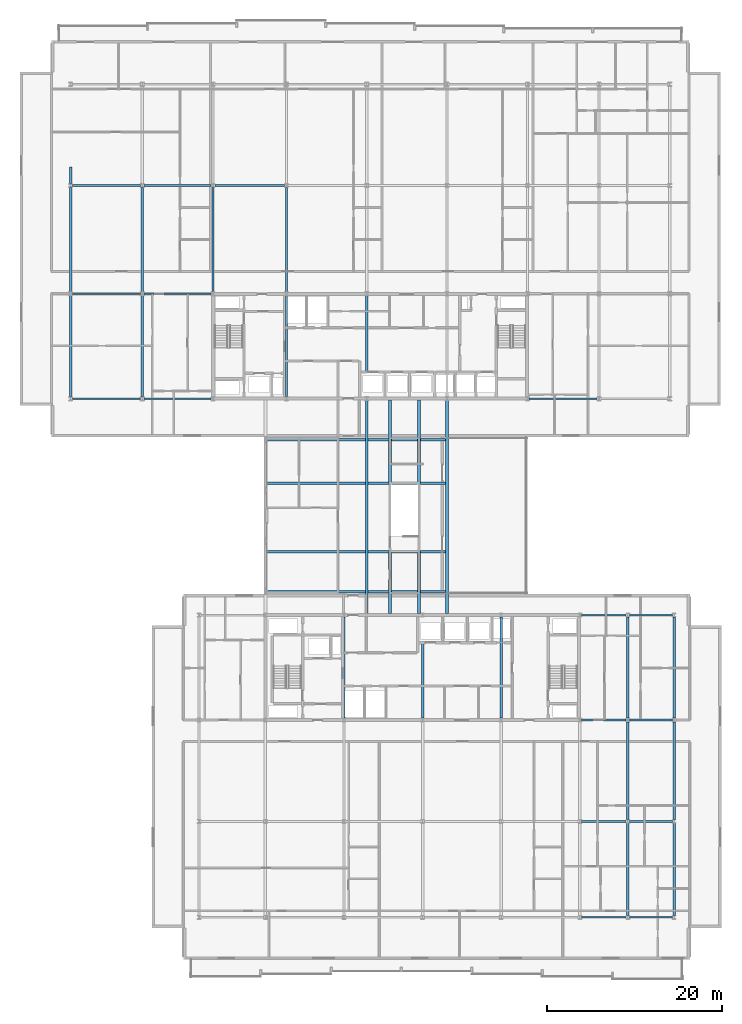
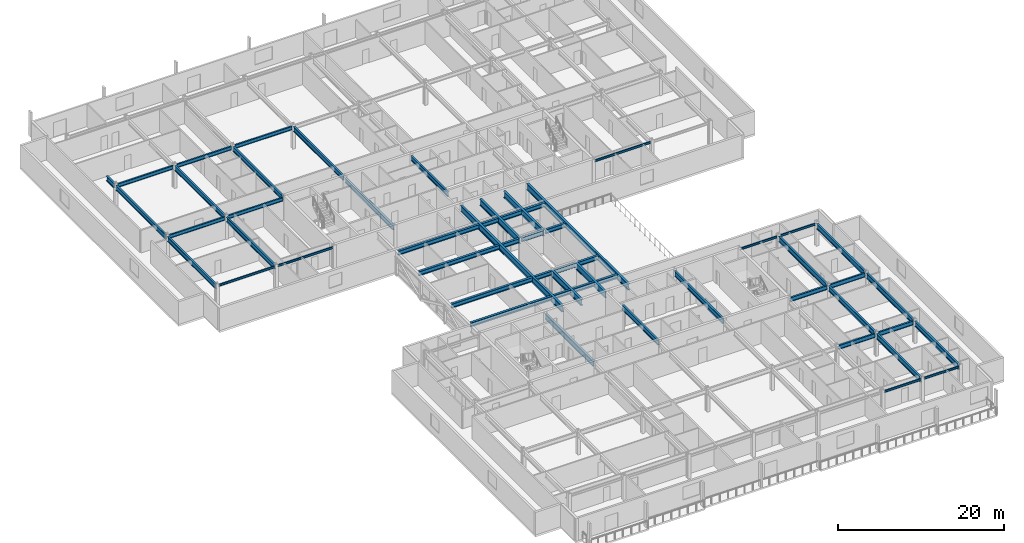
# One storey, part 7 of 28: 56 beams.
"""IFC4 building model written with IfcOpenShell, lengths in metres."""

import ifcopenshell
import ifcopenshell.guid

model = None  # the IFC model being written
_history = None  # IfcOwnerHistory: only IFC2X3 demands one
_inside = {}  # id of a spatial element -> (the spatial element, [elements in it])
_under = {}  # id of a project, library or spatial element -> (it, [spatial elements below it])
_declared = {}  # id of a project -> (the project, [libraries it declares])
_typed = {}  # id of a type object -> (the type object, [elements of that type])
_made_of = {}  # id of a material, layer set ... -> (it, [elements and type objects made of it])


def new_model(schema):
    """Start an empty IFC model of exactly this schema.

    Asked for "IFC4X3", IfcOpenShell would pick the latest addendum, in which some entities
    have other attributes; the version numbers below select the first issue.
    IFC2X3 requires an IfcOwnerHistory on every rooted entity: one is made here for all.
    """
    global model, _history
    if schema == "IFC4X3":
        model = ifcopenshell.file(schema_version=(4, 3, 0, 0))
    else:
        model = ifcopenshell.file(schema=schema)
    _inside.clear()
    _under.clear()
    _declared.clear()
    _typed.clear()
    _made_of.clear()
    _history = None
    if model.schema == "IFC2X3":
        org = make("IfcOrganization", Name="unknown")
        user = make(
            "IfcPersonAndOrganization",
            ThePerson=make("IfcPerson", FamilyName="unknown"),
            TheOrganization=org,
        )
        app = make(
            "IfcApplication",
            ApplicationDeveloper=org,
            Version="unknown",
            ApplicationFullName="unknown",
            ApplicationIdentifier="unknown",
        )
        _history = make(
            "IfcOwnerHistory",
            OwningUser=user,
            OwningApplication=app,
            ChangeAction="ADDED",
            CreationDate=0,
        )
    return model


def make(cls, **values):
    """One entity of the class cls with the attributes given. An attribute that is None is left unset."""
    return model.create_entity(
        cls, **{name: value for name, value in values.items() if value is not None}
    )


def rooted(cls, **values):
    """An entity with a GlobalId (a new one), such as an element, a storey or a relation."""
    return make(cls, GlobalId=ifcopenshell.guid.new(), OwnerHistory=_history, **values)


def si_unit(unit_type, name, prefix=None):
    """IfcSIUnit, for example si_unit("LENGTHUNIT", "METRE", prefix="MILLI")."""
    return make("IfcSIUnit", UnitType=unit_type, Prefix=prefix, Name=name)


def assignment(units):
    """IfcUnitAssignment: the units of a project."""
    return None if units is None else make("IfcUnitAssignment", Units=units)


def point(xyz):
    """IfcCartesianPoint."""
    return None if xyz is None else make("IfcCartesianPoint", Coordinates=xyz)


def direction(xyz):
    """IfcDirection."""
    return None if xyz is None else make("IfcDirection", DirectionRatios=xyz)


def frame(location, z_axis=None, x_axis=None):
    """IfcAxis2Placement3D, a coordinate frame: its origin and axes. An axis left out is left unset."""
    return make(
        "IfcAxis2Placement3D",
        Location=point(location),
        Axis=direction(z_axis),
        RefDirection=direction(x_axis),
    )


def frame_2d(location, x_axis=None):
    """IfcAxis2Placement2D, a coordinate frame in the plane: its origin and x axis."""
    return make(
        "IfcAxis2Placement2D", Location=point(location), RefDirection=direction(x_axis)
    )


def origin():
    """The frame at (0, 0, 0) with its axes left unset."""
    return frame((0.0, 0.0, 0.0))


def origin_2d():
    """The frame at (0, 0) in the plane with its x axis left unset."""
    return frame_2d((0.0, 0.0))


def place(relative_to, where):
    """IfcLocalPlacement: puts the frame where relative to a parent placement (None: the world)."""
    return make(
        "IfcLocalPlacement", PlacementRelTo=relative_to, RelativePlacement=where
    )


def context(
    kind, dimensions, precision=None, world=None, true_north=None, identifier=None
):
    """IfcGeometricRepresentationContext, for example the 3D "Model" context."""
    return make(
        "IfcGeometricRepresentationContext",
        ContextIdentifier=identifier,
        ContextType=kind,
        CoordinateSpaceDimension=dimensions,
        Precision=precision,
        WorldCoordinateSystem=world,
        TrueNorth=true_north,
    )


def subcontext(parent, identifier, kind, view, scale=None):
    """IfcGeometricRepresentationSubContext, for example "Body" below "Model"."""
    return make(
        "IfcGeometricRepresentationSubContext",
        ContextIdentifier=identifier,
        ContextType=kind,
        ParentContext=parent,
        TargetScale=scale,
        TargetView=view,
    )


def project(units=None, contexts=None):
    """IfcProject with its units and contexts."""
    return rooted(
        "IfcProject",
        Name="project",
        RepresentationContexts=contexts,
        UnitsInContext=assignment(units),
    )


def spatial(cls, under=None, at=None, **own):
    """A site, building, storey or space (cls), placed at a placement, below another one or the project."""
    s = rooted(cls, ObjectPlacement=at, **own)
    if under is not None:
        _under.setdefault(under.id(), (under, []))[1].append(s)
    return s


def profile(cls, at=None, kind="AREA", **sizes):
    """A parametric profile (cls). Its sizes go by their IFC names, for example OverallWidth=200.0."""
    return make(cls, ProfileType=kind, Position=at, **sizes)


def i_section(**sizes):
    """IfcIShapeProfileDef."""
    return profile("IfcIShapeProfileDef", **sizes)


def extrude(swept, where, along, depth):
    """IfcExtrudedAreaSolid: the profile swept, set in the frame where, extruded along a direction by depth."""
    return make(
        "IfcExtrudedAreaSolid",
        SweptArea=swept,
        Position=where,
        ExtrudedDirection=direction(along),
        Depth=depth,
    )


def shape(context_of_items, identifier, shape_type, items):
    """IfcShapeRepresentation: the items that make up one representation, for example the "Body"."""
    return make(
        "IfcShapeRepresentation",
        ContextOfItems=context_of_items,
        RepresentationIdentifier=identifier,
        RepresentationType=shape_type,
        Items=items,
    )


def material(Name=None, Category=None):
    """IfcMaterial."""
    return make("IfcMaterial", Name=Name, Category=Category)


def material_profile(
    of_material, cross_section, Name=None, Category=None, Priority=None
):
    """IfcMaterialProfile: a cross section and its material."""
    return make(
        "IfcMaterialProfile",
        Name=Name,
        Material=of_material,
        Profile=cross_section,
        Priority=Priority,
        Category=Category,
    )


def profile_set(profiles, Name=None, composite=None):
    """IfcMaterialProfileSet."""
    return make(
        "IfcMaterialProfileSet",
        Name=Name,
        MaterialProfiles=profiles,
        CompositeProfile=composite,
    )


def made_of(thing, what):
    """Note that an element or type object is made of a material, layer set ...; save() writes the relation."""
    if what is not None:
        _made_of.setdefault(what.id(), (what, []))[1].append(thing)
    return thing


def type_object(cls, material=None, **own):
    """A type object (cls), such as IfcWallType, which elements share."""
    return made_of(rooted(cls, **own), material)


def element(
    cls,
    number,
    at=None,
    inside=None,
    cuts=None,
    type_object=None,
    material=None,
    context=None,
    identifier="Body",
    shape_type=None,
    held_by="IfcProductDefinitionShape",
    body=None,
    shapes=None,
    **own,
):
    """One element of the class cls, such as IfcWall. Its Tag is "e" and its number.

    at: its placement. inside: the storey or other place that contains it. cuts: it is an
    opening in that element (IfcRelVoidsElement). A single representation is given by context,
    identifier, shape_type and body (its items); several are given by shapes. held_by: the class
    of the entity that holds the representations. save() writes the other relations.
    """
    e = rooted(cls, Tag="e%d" % number, ObjectPlacement=at, **own)
    if body is not None:
        shapes = [shape(context, identifier, shape_type, body)]
    if shapes is not None:
        e.Representation = make(held_by, Representations=shapes)
    if inside is not None:
        _inside.setdefault(inside.id(), (inside, []))[1].append(e)
    if cuts is not None:
        rooted(
            "IfcRelVoidsElement", RelatingBuildingElement=cuts, RelatedOpeningElement=e
        )
    if type_object is not None:
        _typed.setdefault(type_object.id(), (type_object, []))[1].append(e)
    return made_of(e, material)


def aggregate(whole, parts):
    """IfcRelAggregates: a whole, such as a stair, and the parts it consists of."""
    return rooted("IfcRelAggregates", RelatingObject=whole, RelatedObjects=parts)


def save(model, path):
    """Write the relations noted so far, then the file.

    IfcRelAggregates (storeys below a building ...), IfcRelContainedInSpatialStructure (elements
    in a storey), IfcRelDefinesByType, IfcRelAssociatesMaterial and IfcRelDeclares: one each for
    every whole, place, type object, material and project.
    """
    for whole, parts in _under.values():
        aggregate(whole, parts)
    for where, things in _inside.values():
        rooted(
            "IfcRelContainedInSpatialStructure",
            RelatedElements=things,
            RelatingStructure=where,
        )
    for kind, things in _typed.values():
        rooted("IfcRelDefinesByType", RelatedObjects=things, RelatingType=kind)
    for what, things in _made_of.values():
        rooted("IfcRelAssociatesMaterial", RelatedObjects=things, RelatingMaterial=what)
    for by, libraries in _declared.values():
        rooted("IfcRelDeclares", RelatingContext=by, RelatedDefinitions=libraries)
    model.write(path)


model = new_model("IFC4")

# Units and contexts
model_context = context("Model", 3, precision=1e-05, world=origin(), true_north=direction((0.0, 1.0)))
body_context = subcontext(model_context, "Body", "Model", "MODEL_VIEW")
ifc_project = project(units=[si_unit("LENGTHUNIT", "METRE"), si_unit("AREAUNIT", "SQUARE_METRE"), si_unit("VOLUMEUNIT", "CUBIC_METRE"), si_unit("PLANEANGLEUNIT", "RADIAN"), si_unit("MASSUNIT", "GRAM", prefix="KILO")], contexts=[model_context])

# Site, building, storey
site_placement = place(None, origin())
site = spatial("IfcSite", under=ifc_project, at=site_placement, CompositionType="ELEMENT")
building_placement = place(site_placement, origin())
building = spatial("IfcBuilding", under=site, at=building_placement, Name="Korimba Cascade Residences", CompositionType="ELEMENT")
storey_placement = place(building_placement, frame((0.0, 0.0, 153.699951171875)))
storey = spatial("IfcBuildingStorey", under=building, at=storey_placement, Name="L44", CompositionType="ELEMENT", Elevation=153.699951171875)

# Beams
ifc_material_1 = material(Name="Steel S355", Category="steel")
ifc_material_profile_1 = material_profile(ifc_material_1, i_section(OverallWidth=0.165771484375, OverallDepth=0.306640625, WebThickness=0.006591796875, FlangeThickness=0.01171875, FilletRadius=0.0087890625, at=origin_2d()), Name="Steel S355")
ifc_profile_set_1 = profile_set([ifc_material_profile_1], Name="Steel S355")
beam_type_1 = type_object("IfcBeamType", Name="BM-STL-UB305", PredefinedType="SPANDREL", material=ifc_profile_set_1)
beam_1_placement = place(storey_placement, frame((60.006103515625, 55.199951171875, 3.166748046875), z_axis=(1.0, 0.0, 0.0), x_axis=(0.0, 1.0, 0.0)))
element("IfcBeam", 1, at=beam_1_placement, inside=storey, type_object=beam_type_1, Name="L44 T1 E-W Girder Y1 Bay 1", PredefinedType="SPANDREL", context=body_context, shape_type="SweptSolid", body=[
    extrude(i_section(OverallWidth=0.165771484375, OverallDepth=0.306640625, WebThickness=0.006591796875, FlangeThickness=0.01171875, FilletRadius=0.0087890625, at=origin_2d()), origin(), (0.0, 0.0, 1.0), 7.787841796875),
])
beam_2_placement = place(storey_placement, frame((68.2060546875, 55.199951171875, 3.166748046875), z_axis=(1.0, 0.0, 0.0), x_axis=(0.0, 1.0, 0.0)))
element("IfcBeam", 2, at=beam_2_placement, inside=storey, type_object=beam_type_1, Name="L44 T1 E-W Girder Y1 Bay 2", PredefinedType="SPANDREL", context=body_context, shape_type="SweptSolid", body=[
    extrude(i_section(OverallWidth=0.165771484375, OverallDepth=0.306640625, WebThickness=0.006591796875, FlangeThickness=0.01171875, FilletRadius=0.0087890625, at=origin_2d()), origin(), (0.0, 0.0, 1.0), 7.687744140625),
])
beam_3_placement = place(storey_placement, frame((112.30615234375, 55.199951171875, 3.166748046875), z_axis=(1.0, 0.0, 0.0), x_axis=(0.0, 1.0, 0.0)))
element("IfcBeam", 3, at=beam_3_placement, inside=storey, type_object=beam_type_1, Name="L44 T1 E-W Girder Y1 Bay 7", PredefinedType="SPANDREL", context=body_context, shape_type="SweptSolid", body=[
    extrude(i_section(OverallWidth=0.165771484375, OverallDepth=0.306640625, WebThickness=0.006591796875, FlangeThickness=0.01171875, FilletRadius=0.0087890625, at=origin_2d()), origin(), (0.0, 0.0, 1.0), 7.787841796875),
])
beam_4_placement = place(storey_placement, frame((118.301513671875, -4.199951171875, 3.166748046875), z_axis=(1.0, 0.0, 0.0), x_axis=(0.0, 1.0, 0.0)))
element("IfcBeam", 4, at=beam_4_placement, inside=storey, type_object=beam_type_1, Name="L44 T2 E-W Girder Y1 Bay 6", PredefinedType="SPANDREL", context=body_context, shape_type="SweptSolid", body=[
    extrude(i_section(OverallWidth=0.165771484375, OverallDepth=0.306640625, WebThickness=0.006591796875, FlangeThickness=0.01171875, FilletRadius=0.0087890625, at=origin_2d()), origin(), (0.0, 0.0, 1.0), 5.096923828125),
])
beam_5_placement = place(storey_placement, frame((123.801513671875, -4.199951171875, 3.166748046875), z_axis=(1.0, 0.0, 0.0), x_axis=(0.0, 1.0, 0.0)))
element("IfcBeam", 5, at=beam_5_placement, inside=storey, type_object=beam_type_1, Name="L44 T2 E-W Girder Y1 Bay 7", PredefinedType="SPANDREL", context=body_context, shape_type="SweptSolid", body=[
    extrude(i_section(OverallWidth=0.165771484375, OverallDepth=0.306640625, WebThickness=0.006591796875, FlangeThickness=0.01171875, FilletRadius=0.0087890625, at=origin_2d()), origin(), (0.0, 0.0, 1.0), 4.89697265625),
])
beam_6_placement = place(storey_placement, frame((118.301513671875, 30.39990234375, 3.166748046875), z_axis=(1.0, 0.0, 0.0), x_axis=(0.0, 1.0, 0.0)))
element("IfcBeam", 6, at=beam_6_placement, inside=storey, type_object=beam_type_1, Name="L44 T2 E-W Girder Y4 Bay 6", PredefinedType="SPANDREL", context=body_context, shape_type="SweptSolid", body=[
    extrude(i_section(OverallWidth=0.165771484375, OverallDepth=0.306640625, WebThickness=0.006591796875, FlangeThickness=0.01171875, FilletRadius=0.0087890625, at=origin_2d()), origin(), (0.0, 0.0, 1.0), 5.096923828125),
])
beam_7_placement = place(storey_placement, frame((123.801513671875, 30.39990234375, 3.166748046875), z_axis=(1.0, 0.0, 0.0), x_axis=(0.0, 1.0, 0.0)))
element("IfcBeam", 7, at=beam_7_placement, inside=storey, type_object=beam_type_1, Name="L44 T2 E-W Girder Y4 Bay 7", PredefinedType="SPANDREL", context=body_context, shape_type="SweptSolid", body=[
    extrude(i_section(OverallWidth=0.165771484375, OverallDepth=0.306640625, WebThickness=0.006591796875, FlangeThickness=0.01171875, FilletRadius=0.0087890625, at=origin_2d()), origin(), (0.0, 0.0, 1.0), 4.89697265625),
])
ifc_material_profile_2 = material_profile(ifc_material_1, i_section(OverallWidth=0.2099609375, OverallDepth=0.53662109375, WebThickness=0.0107421875, FlangeThickness=0.017333984375, FilletRadius=0.0126953125, at=origin_2d()), Name="Steel S355")
ifc_profile_set_2 = profile_set([ifc_material_profile_2], Name="Steel S355")
beam_type_2 = type_object("IfcBeamType", Name="BM-STL-UB533", PredefinedType="BEAM", material=ifc_profile_set_2)
beam_8_placement = place(storey_placement, frame((60.006103515625, 67.199951171875, 3.0517578125), z_axis=(1.0, 0.0, 0.0), x_axis=(0.0, 1.0, 0.0)))
element("IfcBeam", 8, at=beam_8_placement, inside=storey, type_object=beam_type_2, Name="L44 T1 E-W Girder Y2 Bay 1", PredefinedType="BEAM", context=body_context, shape_type="SweptSolid", body=[
    extrude(i_section(OverallWidth=0.2099609375, OverallDepth=0.53662109375, WebThickness=0.0107421875, FlangeThickness=0.017333984375, FilletRadius=0.0126953125, at=origin_2d()), origin(), (0.0, 0.0, 1.0), 7.787841796875),
])
beam_9_placement = place(storey_placement, frame((68.2060546875, 67.199951171875, 3.0517578125), z_axis=(1.0, 0.0, 0.0), x_axis=(0.0, 1.0, 0.0)))
element("IfcBeam", 9, at=beam_9_placement, inside=storey, type_object=beam_type_2, Name="L44 T1 E-W Girder Y2 Bay 2", PredefinedType="BEAM", context=body_context, shape_type="SweptSolid", body=[
    extrude(i_section(OverallWidth=0.2099609375, OverallDepth=0.53662109375, WebThickness=0.0107421875, FlangeThickness=0.017333984375, FilletRadius=0.0126953125, at=origin_2d()), origin(), (0.0, 0.0, 1.0), 7.687744140625),
])
beam_10_placement = place(storey_placement, frame((60.006103515625, 79.60009765625, 3.0517578125), z_axis=(1.0, 0.0, 0.0), x_axis=(0.0, 1.0, 0.0)))
element("IfcBeam", 10, at=beam_10_placement, inside=storey, type_object=beam_type_2, Name="L44 T1 E-W Girder Y3 Bay 1", PredefinedType="BEAM", context=body_context, shape_type="SweptSolid", body=[
    extrude(i_section(OverallWidth=0.2099609375, OverallDepth=0.53662109375, WebThickness=0.0107421875, FlangeThickness=0.017333984375, FilletRadius=0.0126953125, at=origin_2d()), origin(), (0.0, 0.0, 1.0), 7.787841796875),
])
beam_11_placement = place(storey_placement, frame((68.2060546875, 79.60009765625, 3.0517578125), z_axis=(1.0, 0.0, 0.0), x_axis=(0.0, 1.0, 0.0)))
element("IfcBeam", 11, at=beam_11_placement, inside=storey, type_object=beam_type_2, Name="L44 T1 E-W Girder Y3 Bay 2", PredefinedType="BEAM", context=body_context, shape_type="SweptSolid", body=[
    extrude(i_section(OverallWidth=0.2099609375, OverallDepth=0.53662109375, WebThickness=0.0107421875, FlangeThickness=0.017333984375, FilletRadius=0.0126953125, at=origin_2d()), origin(), (0.0, 0.0, 1.0), 7.687744140625),
])
beam_12_placement = place(storey_placement, frame((76.30615234375, 79.60009765625, 3.0517578125), z_axis=(1.0, 0.0, 0.0), x_axis=(0.0, 1.0, 0.0)))
element("IfcBeam", 12, at=beam_12_placement, inside=storey, type_object=beam_type_2, Name="L44 T1 E-W Girder Y3 Bay 3", PredefinedType="BEAM", context=body_context, shape_type="SweptSolid", body=[
    extrude(i_section(OverallWidth=0.2099609375, OverallDepth=0.53662109375, WebThickness=0.0107421875, FlangeThickness=0.017333984375, FilletRadius=0.0126953125, at=origin_2d()), origin(), (0.0, 0.0, 1.0), 7.98779296875),
])
ifc_material_profile_3 = material_profile(ifc_material_1, i_section(OverallWidth=0.30712890625, OverallDepth=0.6201171875, WebThickness=0.01416015625, FlangeThickness=0.023681640625, FilletRadius=0.0166015625, at=origin_2d()), Name="Steel S355")
ifc_profile_set_3 = profile_set([ifc_material_profile_3], Name="Steel S355")
beam_type_3 = type_object("IfcBeamType", Name="BM-STL-UB610A", PredefinedType="BEAM", material=ifc_profile_set_3)
beam_13_placement = place(storey_placement, frame((82.251953125, 33.10009765625, 3.010009765625), z_axis=(1.0, 0.0, 0.0), x_axis=(0.0, 1.0, 0.0)))
element("IfcBeam", 13, at=beam_13_placement, inside=storey, type_object=beam_type_3, Name="L44 Mid-Bridge Cross Beam 33.1", PredefinedType="BEAM", context=body_context, shape_type="SweptSolid", body=[
    extrude(i_section(OverallWidth=0.30712890625, OverallDepth=0.6201171875, WebThickness=0.01416015625, FlangeThickness=0.023681640625, FilletRadius=0.0166015625, at=origin_2d()), origin(), (0.0, 0.0, 1.0), 11.296142578125),
])
beam_14_placement = place(storey_placement, frame((93.85205078125, 33.10009765625, 3.010009765625), z_axis=(1.0, 0.0, 0.0), x_axis=(0.0, 1.0, 0.0)))
element("IfcBeam", 14, at=beam_14_placement, inside=storey, type_object=beam_type_3, Name="L44 Mid-Bridge Cross Beam 33.2", PredefinedType="BEAM", context=body_context, shape_type="SweptSolid", body=[
    extrude(i_section(OverallWidth=0.30712890625, OverallDepth=0.6201171875, WebThickness=0.01416015625, FlangeThickness=0.023681640625, FilletRadius=0.0166015625, at=origin_2d()), origin(), (0.0, 0.0, 1.0), 2.370849609375),
])
beam_15_placement = place(storey_placement, frame((96.527099609375, 33.10009765625, 3.010009765625), z_axis=(1.0, 0.0, 0.0), x_axis=(0.0, 1.0, 0.0)))
element("IfcBeam", 15, at=beam_15_placement, inside=storey, type_object=beam_type_3, Name="L44 Mid-Bridge Cross Beam 33.3", PredefinedType="BEAM", context=body_context, shape_type="SweptSolid", body=[
    extrude(i_section(OverallWidth=0.30712890625, OverallDepth=0.6201171875, WebThickness=0.01416015625, FlangeThickness=0.023681640625, FilletRadius=0.0166015625, at=origin_2d()), origin(), (0.0, 0.0, 1.0), 3.005859375),
])
beam_16_placement = place(storey_placement, frame((99.8369140625, 33.10009765625, 3.010009765625), z_axis=(1.0, 0.0, 0.0), x_axis=(0.0, 1.0, 0.0)))
element("IfcBeam", 16, at=beam_16_placement, inside=storey, type_object=beam_type_3, Name="L44 Mid-Bridge Cross Beam 33.4", PredefinedType="BEAM", context=body_context, shape_type="SweptSolid", body=[
    extrude(i_section(OverallWidth=0.30712890625, OverallDepth=0.6201171875, WebThickness=0.01416015625, FlangeThickness=0.023681640625, FilletRadius=0.0166015625, at=origin_2d()), origin(), (0.0, 0.0, 1.0), 2.9111328125),
])
beam_17_placement = place(storey_placement, frame((82.251953125, 37.675048828125, 3.010009765625), z_axis=(1.0, 0.0, 0.0), x_axis=(0.0, 1.0, 0.0)))
element("IfcBeam", 17, at=beam_17_placement, inside=storey, type_object=beam_type_3, Name="L44 Mid-Bridge Cross Beam 37.1", PredefinedType="BEAM", context=body_context, shape_type="SweptSolid", body=[
    extrude(i_section(OverallWidth=0.30712890625, OverallDepth=0.6201171875, WebThickness=0.01416015625, FlangeThickness=0.023681640625, FilletRadius=0.0166015625, at=origin_2d()), origin(), (0.0, 0.0, 1.0), 11.296142578125),
])
beam_18_placement = place(storey_placement, frame((93.85205078125, 37.675048828125, 3.010009765625), z_axis=(1.0, 0.0, 0.0), x_axis=(0.0, 1.0, 0.0)))
element("IfcBeam", 18, at=beam_18_placement, inside=storey, type_object=beam_type_3, Name="L44 Mid-Bridge Cross Beam 37.2", PredefinedType="BEAM", context=body_context, shape_type="SweptSolid", body=[
    extrude(i_section(OverallWidth=0.30712890625, OverallDepth=0.6201171875, WebThickness=0.01416015625, FlangeThickness=0.023681640625, FilletRadius=0.0166015625, at=origin_2d()), origin(), (0.0, 0.0, 1.0), 2.370849609375),
])
beam_19_placement = place(storey_placement, frame((96.527099609375, 37.675048828125, 3.010009765625), z_axis=(1.0, 0.0, 0.0), x_axis=(0.0, 1.0, 0.0)))
element("IfcBeam", 19, at=beam_19_placement, inside=storey, type_object=beam_type_3, Name="L44 Mid-Bridge Cross Beam 37.3", PredefinedType="BEAM", context=body_context, shape_type="SweptSolid", body=[
    extrude(i_section(OverallWidth=0.30712890625, OverallDepth=0.6201171875, WebThickness=0.01416015625, FlangeThickness=0.023681640625, FilletRadius=0.0166015625, at=origin_2d()), origin(), (0.0, 0.0, 1.0), 3.005859375),
])
beam_20_placement = place(storey_placement, frame((99.8369140625, 37.675048828125, 3.010009765625), z_axis=(1.0, 0.0, 0.0), x_axis=(0.0, 1.0, 0.0)))
element("IfcBeam", 20, at=beam_20_placement, inside=storey, type_object=beam_type_3, Name="L44 Mid-Bridge Cross Beam 37.4", PredefinedType="BEAM", context=body_context, shape_type="SweptSolid", body=[
    extrude(i_section(OverallWidth=0.30712890625, OverallDepth=0.6201171875, WebThickness=0.01416015625, FlangeThickness=0.023681640625, FilletRadius=0.0166015625, at=origin_2d()), origin(), (0.0, 0.0, 1.0), 2.9111328125),
])
beam_21_placement = place(storey_placement, frame((82.251953125, 45.52490234375, 3.010009765625), z_axis=(1.0, 0.0, 0.0), x_axis=(0.0, 1.0, 0.0)))
element("IfcBeam", 21, at=beam_21_placement, inside=storey, type_object=beam_type_3, Name="L44 Mid-Bridge Cross Beam 45.1", PredefinedType="BEAM", context=body_context, shape_type="SweptSolid", body=[
    extrude(i_section(OverallWidth=0.30712890625, OverallDepth=0.6201171875, WebThickness=0.01416015625, FlangeThickness=0.023681640625, FilletRadius=0.0166015625, at=origin_2d()), origin(), (0.0, 0.0, 1.0), 11.296142578125),
])
beam_22_placement = place(storey_placement, frame((93.85205078125, 45.52490234375, 3.010009765625), z_axis=(1.0, 0.0, 0.0), x_axis=(0.0, 1.0, 0.0)))
element("IfcBeam", 22, at=beam_22_placement, inside=storey, type_object=beam_type_3, Name="L44 Mid-Bridge Cross Beam 45.2", PredefinedType="BEAM", context=body_context, shape_type="SweptSolid", body=[
    extrude(i_section(OverallWidth=0.30712890625, OverallDepth=0.6201171875, WebThickness=0.01416015625, FlangeThickness=0.023681640625, FilletRadius=0.0166015625, at=origin_2d()), origin(), (0.0, 0.0, 1.0), 2.370849609375),
])
beam_23_placement = place(storey_placement, frame((96.527099609375, 45.52490234375, 3.010009765625), z_axis=(1.0, 0.0, 0.0), x_axis=(0.0, 1.0, 0.0)))
element("IfcBeam", 23, at=beam_23_placement, inside=storey, type_object=beam_type_3, Name="L44 Mid-Bridge Cross Beam 45.3", PredefinedType="BEAM", context=body_context, shape_type="SweptSolid", body=[
    extrude(i_section(OverallWidth=0.30712890625, OverallDepth=0.6201171875, WebThickness=0.01416015625, FlangeThickness=0.023681640625, FilletRadius=0.0166015625, at=origin_2d()), origin(), (0.0, 0.0, 1.0), 3.005859375),
])
beam_24_placement = place(storey_placement, frame((99.8369140625, 45.52490234375, 3.010009765625), z_axis=(1.0, 0.0, 0.0), x_axis=(0.0, 1.0, 0.0)))
element("IfcBeam", 24, at=beam_24_placement, inside=storey, type_object=beam_type_3, Name="L44 Mid-Bridge Cross Beam 45.4", PredefinedType="BEAM", context=body_context, shape_type="SweptSolid", body=[
    extrude(i_section(OverallWidth=0.30712890625, OverallDepth=0.6201171875, WebThickness=0.01416015625, FlangeThickness=0.023681640625, FilletRadius=0.0166015625, at=origin_2d()), origin(), (0.0, 0.0, 1.0), 2.9111328125),
])
beam_25_placement = place(storey_placement, frame((82.251953125, 50.5, 3.010009765625), z_axis=(1.0, 0.0, 0.0), x_axis=(0.0, 1.0, 0.0)))
element("IfcBeam", 25, at=beam_25_placement, inside=storey, type_object=beam_type_3, Name="L44 Mid-Bridge Cross Beam 50.1", PredefinedType="BEAM", context=body_context, shape_type="SweptSolid", body=[
    extrude(i_section(OverallWidth=0.30712890625, OverallDepth=0.6201171875, WebThickness=0.01416015625, FlangeThickness=0.023681640625, FilletRadius=0.0166015625, at=origin_2d()), origin(), (0.0, 0.0, 1.0), 11.296142578125),
])
beam_26_placement = place(storey_placement, frame((93.85205078125, 50.5, 3.010009765625), z_axis=(1.0, 0.0, 0.0), x_axis=(0.0, 1.0, 0.0)))
element("IfcBeam", 26, at=beam_26_placement, inside=storey, type_object=beam_type_3, Name="L44 Mid-Bridge Cross Beam 50.2", PredefinedType="BEAM", context=body_context, shape_type="SweptSolid", body=[
    extrude(i_section(OverallWidth=0.30712890625, OverallDepth=0.6201171875, WebThickness=0.01416015625, FlangeThickness=0.023681640625, FilletRadius=0.0166015625, at=origin_2d()), origin(), (0.0, 0.0, 1.0), 2.370849609375),
])
beam_27_placement = place(storey_placement, frame((96.527099609375, 50.5, 3.010009765625), z_axis=(1.0, 0.0, 0.0), x_axis=(0.0, 1.0, 0.0)))
element("IfcBeam", 27, at=beam_27_placement, inside=storey, type_object=beam_type_3, Name="L44 Mid-Bridge Cross Beam 50.3", PredefinedType="BEAM", context=body_context, shape_type="SweptSolid", body=[
    extrude(i_section(OverallWidth=0.30712890625, OverallDepth=0.6201171875, WebThickness=0.01416015625, FlangeThickness=0.023681640625, FilletRadius=0.0166015625, at=origin_2d()), origin(), (0.0, 0.0, 1.0), 3.005859375),
])
beam_28_placement = place(storey_placement, frame((99.8369140625, 50.5, 3.010009765625), z_axis=(1.0, 0.0, 0.0), x_axis=(0.0, 1.0, 0.0)))
element("IfcBeam", 28, at=beam_28_placement, inside=storey, type_object=beam_type_3, Name="L44 Mid-Bridge Cross Beam 50.4", PredefinedType="BEAM", context=body_context, shape_type="SweptSolid", body=[
    extrude(i_section(OverallWidth=0.30712890625, OverallDepth=0.6201171875, WebThickness=0.01416015625, FlangeThickness=0.023681640625, FilletRadius=0.0166015625, at=origin_2d()), origin(), (0.0, 0.0, 1.0), 2.9111328125),
])
ifc_material_profile_4 = material_profile(ifc_material_1, i_section(OverallWidth=0.22900390625, OverallDepth=0.6123046875, WebThickness=0.011962890625, FlangeThickness=0.01953125, FilletRadius=0.0126953125, at=origin_2d()), Name="Steel S355")
ifc_profile_set_4 = profile_set([ifc_material_profile_4], Name="Steel S355")
beam_type_4 = type_object("IfcBeamType", Name="BM-STL-UB610B", PredefinedType="BEAM", material=ifc_profile_set_4)
beam_29_placement = place(storey_placement, frame((118.301513671875, 6.800048828125, 3.013916015625), z_axis=(1.0, 0.0, 0.0), x_axis=(0.0, 1.0, 0.0)))
element("IfcBeam", 29, at=beam_29_placement, inside=storey, type_object=beam_type_4, Name="L44 T2 E-W Girder Y2 Bay 6", PredefinedType="BEAM", context=body_context, shape_type="SweptSolid", body=[
    extrude(i_section(OverallWidth=0.22900390625, OverallDepth=0.6123046875, WebThickness=0.011962890625, FlangeThickness=0.01953125, FilletRadius=0.0126953125, at=origin_2d()), origin(), (0.0, 0.0, 1.0), 5.096923828125),
])
beam_30_placement = place(storey_placement, frame((123.801513671875, 6.800048828125, 3.013916015625), z_axis=(1.0, 0.0, 0.0), x_axis=(0.0, 1.0, 0.0)))
element("IfcBeam", 30, at=beam_30_placement, inside=storey, type_object=beam_type_4, Name="L44 T2 E-W Girder Y2 Bay 7", PredefinedType="BEAM", context=body_context, shape_type="SweptSolid", body=[
    extrude(i_section(OverallWidth=0.22900390625, OverallDepth=0.6123046875, WebThickness=0.011962890625, FlangeThickness=0.01953125, FilletRadius=0.0126953125, at=origin_2d()), origin(), (0.0, 0.0, 1.0), 4.89697265625),
])
beam_31_placement = place(storey_placement, frame((118.301513671875, 18.39990234375, 3.013916015625), z_axis=(1.0, 0.0, 0.0), x_axis=(0.0, 1.0, 0.0)))
element("IfcBeam", 31, at=beam_31_placement, inside=storey, type_object=beam_type_4, Name="L44 T2 E-W Girder Y3 Bay 6", PredefinedType="BEAM", context=body_context, shape_type="SweptSolid", body=[
    extrude(i_section(OverallWidth=0.22900390625, OverallDepth=0.6123046875, WebThickness=0.011962890625, FlangeThickness=0.01953125, FilletRadius=0.0126953125, at=origin_2d()), origin(), (0.0, 0.0, 1.0), 5.096923828125),
])
beam_32_placement = place(storey_placement, frame((123.801513671875, 18.39990234375, 3.013916015625), z_axis=(1.0, 0.0, 0.0), x_axis=(0.0, 1.0, 0.0)))
element("IfcBeam", 32, at=beam_32_placement, inside=storey, type_object=beam_type_4, Name="L44 T2 E-W Girder Y3 Bay 7", PredefinedType="BEAM", context=body_context, shape_type="SweptSolid", body=[
    extrude(i_section(OverallWidth=0.22900390625, OverallDepth=0.6123046875, WebThickness=0.011962890625, FlangeThickness=0.01953125, FilletRadius=0.0126953125, at=origin_2d()), origin(), (0.0, 0.0, 1.0), 4.89697265625),
])
ifc_material_profile_5 = material_profile(ifc_material_1, i_section(OverallWidth=0.255859375, OverallDepth=0.69287109375, WebThickness=0.014404296875, FlangeThickness=0.023681640625, FilletRadius=0.01513671875, at=origin_2d()), Name="Steel S355")
ifc_profile_set_5 = profile_set([ifc_material_profile_5], Name="Steel S355")
beam_type_5 = type_object("IfcBeamType", Name="BM-STL-UB686", PredefinedType="BEAM", material=ifc_profile_set_5)
beam_33_placement = place(storey_placement, frame((59.800048828125, 55.418212890625, 2.9736328125), z_axis=(0.0, 1.0, 0.0), x_axis=(-1.0, 0.0, 0.0)))
element("IfcBeam", 33, at=beam_33_placement, inside=storey, type_object=beam_type_5, Name="L44 T1 N-S Girder X1 Seg 1", PredefinedType="BEAM", context=body_context, shape_type="SweptSolid", body=[
    extrude(i_section(OverallWidth=0.255859375, OverallDepth=0.69287109375, WebThickness=0.014404296875, FlangeThickness=0.023681640625, FilletRadius=0.01513671875, at=origin_2d()), origin(), (0.0, 0.0, 1.0), 11.5634765625),
])
beam_34_placement = place(storey_placement, frame((59.800048828125, 67.418212890625, 2.9736328125), z_axis=(0.0, 1.0, 0.0), x_axis=(-1.0, 0.0, 0.0)))
element("IfcBeam", 34, at=beam_34_placement, inside=storey, type_object=beam_type_5, Name="L44 T1 N-S Girder X1 Seg 2", PredefinedType="BEAM", context=body_context, shape_type="SweptSolid", body=[
    extrude(i_section(OverallWidth=0.255859375, OverallDepth=0.69287109375, WebThickness=0.014404296875, FlangeThickness=0.023681640625, FilletRadius=0.01513671875, at=origin_2d()), origin(), (0.0, 0.0, 1.0), 11.96337890625),
])
beam_35_placement = place(storey_placement, frame((59.800048828125, 79.818359375, 2.9736328125), z_axis=(0.0, 1.0, 0.0), x_axis=(-1.0, 0.0, 0.0)))
element("IfcBeam", 35, at=beam_35_placement, inside=storey, type_object=beam_type_5, Name="L44 T1 N-S Girder X1 Seg 3", PredefinedType="BEAM", context=body_context, shape_type="SweptSolid", body=[
    extrude(i_section(OverallWidth=0.255859375, OverallDepth=0.69287109375, WebThickness=0.014404296875, FlangeThickness=0.023681640625, FilletRadius=0.01513671875, at=origin_2d()), origin(), (0.0, 0.0, 1.0), 1.881591796875),
])
beam_36_placement = place(storey_placement, frame((68.0, 55.418212890625, 2.9736328125), z_axis=(0.0, 1.0, 0.0), x_axis=(-1.0, 0.0, 0.0)))
element("IfcBeam", 36, at=beam_36_placement, inside=storey, type_object=beam_type_5, Name="L44 T1 N-S Girder X2 Seg 1", PredefinedType="BEAM", context=body_context, shape_type="SweptSolid", body=[
    extrude(i_section(OverallWidth=0.255859375, OverallDepth=0.69287109375, WebThickness=0.014404296875, FlangeThickness=0.023681640625, FilletRadius=0.01513671875, at=origin_2d()), origin(), (0.0, 0.0, 1.0), 11.5634765625),
])
for number, where, z_axis, x_axis, name in (
    (37, (68.0, 67.418212890625, 2.9736328125), (0.0, 1.0, 0.0), (-1.0, 0.0, 0.0), "L44 T1 N-S Girder X2 Seg 2"),
    (38, (76.10009765625, 67.418212890625, 2.9736328125), (0.0, 1.0, 0.0), (-1.0, 0.0, 0.0), "L44 T1 N-S Girder X3 Seg 2"),
):
    element("IfcBeam", number, at=place(storey_placement, frame(where, z_axis=z_axis, x_axis=x_axis)), inside=storey, type_object=beam_type_5, Name=name, PredefinedType="BEAM", context=body_context, shape_type="SweptSolid", body=[
        extrude(i_section(OverallWidth=0.255859375, OverallDepth=0.69287109375, WebThickness=0.014404296875, FlangeThickness=0.023681640625, FilletRadius=0.01513671875, at=origin_2d()), origin(), (0.0, 0.0, 1.0), 11.96337890625),
    ])
beam_37_placement = place(storey_placement, frame((84.5, 55.418212890625, 2.9736328125), z_axis=(0.0, 1.0, 0.0), x_axis=(-1.0, 0.0, 0.0)))
element("IfcBeam", 39, at=beam_37_placement, inside=storey, type_object=beam_type_5, Name="L44 T1 N-S Girder X4 Seg 1", PredefinedType="BEAM", context=body_context, shape_type="SweptSolid", body=[
    extrude(i_section(OverallWidth=0.255859375, OverallDepth=0.69287109375, WebThickness=0.014404296875, FlangeThickness=0.023681640625, FilletRadius=0.01513671875, at=origin_2d()), origin(), (0.0, 0.0, 1.0), 11.5634765625),
])
beam_38_placement = place(storey_placement, frame((84.5, 67.418212890625, 2.9736328125), z_axis=(0.0, 1.0, 0.0), x_axis=(-1.0, 0.0, 0.0)))
element("IfcBeam", 40, at=beam_38_placement, inside=storey, type_object=beam_type_5, Name="L44 T1 N-S Girder X4 Seg 2", PredefinedType="BEAM", context=body_context, shape_type="SweptSolid", body=[
    extrude(i_section(OverallWidth=0.255859375, OverallDepth=0.69287109375, WebThickness=0.014404296875, FlangeThickness=0.023681640625, FilletRadius=0.01513671875, at=origin_2d()), origin(), (0.0, 0.0, 1.0), 11.96337890625),
])
beam_39_placement = place(storey_placement, frame((93.699951171875, 58.159912109375, 2.9736328125), z_axis=(0.0, 1.0, 0.0), x_axis=(-1.0, 0.0, 0.0)))
element("IfcBeam", 41, at=beam_39_placement, inside=storey, type_object=beam_type_5, Name="L44 T1 N-S Girder X5 Seg 1", PredefinedType="BEAM", context=body_context, shape_type="SweptSolid", body=[
    extrude(i_section(OverallWidth=0.255859375, OverallDepth=0.69287109375, WebThickness=0.014404296875, FlangeThickness=0.023681640625, FilletRadius=0.01513671875, at=origin_2d()), origin(), (0.0, 0.0, 1.0), 8.82177734375),
])
ifc_material_profile_6 = material_profile(ifc_material_1, i_section(OverallWidth=0.26806640625, OverallDepth=0.769775390625, WebThickness=0.015625, FlangeThickness=0.025390625, FilletRadius=0.0166015625, at=origin_2d()), Name="Steel S355")
ifc_profile_set_6 = profile_set([ifc_material_profile_6], Name="Steel S355")
beam_type_6 = type_object("IfcBeamType", Name="BM-STL-UB762", PredefinedType="BEAM", material=ifc_profile_set_6)
beam_40_placement = place(storey_placement, frame((91.10009765625, 18.603271484375, 2.93505859375), z_axis=(0.0, 1.0, 0.0), x_axis=(-1.0, 0.0, 0.0)))
element("IfcBeam", 42, at=beam_40_placement, inside=storey, type_object=beam_type_6, Name="L44 T2 N-S Girder X3 Seg 3", PredefinedType="BEAM", context=body_context, shape_type="SweptSolid", body=[
    extrude(i_section(OverallWidth=0.26806640625, OverallDepth=0.769775390625, WebThickness=0.015625, FlangeThickness=0.025390625, FilletRadius=0.0166015625, at=origin_2d()), origin(), (0.0, 0.0, 1.0), 11.593505859375),
])
beam_41_placement = place(storey_placement, frame((100.10009765625, 18.603271484375, 2.93505859375), z_axis=(0.0, 1.0, 0.0), x_axis=(-1.0, 0.0, 0.0)))
element("IfcBeam", 43, at=beam_41_placement, inside=storey, type_object=beam_type_6, Name="L44 T2 N-S Girder X4 Seg 3", PredefinedType="BEAM", context=body_context, shape_type="SweptSolid", body=[
    extrude(i_section(OverallWidth=0.26806640625, OverallDepth=0.769775390625, WebThickness=0.015625, FlangeThickness=0.025390625, FilletRadius=0.0166015625, at=origin_2d()), origin(), (0.0, 0.0, 1.0), 8.73681640625),
])
beam_42_placement = place(storey_placement, frame((109.10009765625, 18.603271484375, 2.93505859375), z_axis=(0.0, 1.0, 0.0), x_axis=(-1.0, 0.0, 0.0)))
element("IfcBeam", 44, at=beam_42_placement, inside=storey, type_object=beam_type_6, Name="L44 T2 N-S Girder X5 Seg 3", PredefinedType="BEAM", context=body_context, shape_type="SweptSolid", body=[
    extrude(i_section(OverallWidth=0.26806640625, OverallDepth=0.769775390625, WebThickness=0.015625, FlangeThickness=0.025390625, FilletRadius=0.0166015625, at=origin_2d()), origin(), (0.0, 0.0, 1.0), 11.593505859375),
])
beam_43_placement = place(storey_placement, frame((123.60009765625, -3.996826171875, 2.93505859375), z_axis=(0.0, 1.0, 0.0), x_axis=(-1.0, 0.0, 0.0)))
element("IfcBeam", 45, at=beam_43_placement, inside=storey, type_object=beam_type_6, Name="L44 T2 N-S Girder X7 Seg 1", PredefinedType="BEAM", context=body_context, shape_type="SweptSolid", body=[
    extrude(i_section(OverallWidth=0.26806640625, OverallDepth=0.769775390625, WebThickness=0.015625, FlangeThickness=0.025390625, FilletRadius=0.0166015625, at=origin_2d()), origin(), (0.0, 0.0, 1.0), 10.593505859375),
])
beam_44_placement = place(storey_placement, frame((123.60009765625, 7.003173828125, 2.93505859375), z_axis=(0.0, 1.0, 0.0), x_axis=(-1.0, 0.0, 0.0)))
element("IfcBeam", 46, at=beam_44_placement, inside=storey, type_object=beam_type_6, Name="L44 T2 N-S Girder X7 Seg 2", PredefinedType="BEAM", context=body_context, shape_type="SweptSolid", body=[
    extrude(i_section(OverallWidth=0.26806640625, OverallDepth=0.769775390625, WebThickness=0.015625, FlangeThickness=0.025390625, FilletRadius=0.0166015625, at=origin_2d()), origin(), (0.0, 0.0, 1.0), 11.193603515625),
])
beam_45_placement = place(storey_placement, frame((123.60009765625, 18.603271484375, 2.93505859375), z_axis=(0.0, 1.0, 0.0), x_axis=(-1.0, 0.0, 0.0)))
element("IfcBeam", 47, at=beam_45_placement, inside=storey, type_object=beam_type_6, Name="L44 T2 N-S Girder X7 Seg 3", PredefinedType="BEAM", context=body_context, shape_type="SweptSolid", body=[
    extrude(i_section(OverallWidth=0.26806640625, OverallDepth=0.769775390625, WebThickness=0.015625, FlangeThickness=0.025390625, FilletRadius=0.0166015625, at=origin_2d()), origin(), (0.0, 0.0, 1.0), 11.593505859375),
])
beam_46_placement = place(storey_placement, frame((128.89990234375, -3.996826171875, 2.93505859375), z_axis=(0.0, 1.0, 0.0), x_axis=(-1.0, 0.0, 0.0)))
element("IfcBeam", 48, at=beam_46_placement, inside=storey, type_object=beam_type_6, Name="L44 T2 N-S Girder X8 Seg 1", PredefinedType="BEAM", context=body_context, shape_type="SweptSolid", body=[
    extrude(i_section(OverallWidth=0.26806640625, OverallDepth=0.769775390625, WebThickness=0.015625, FlangeThickness=0.025390625, FilletRadius=0.0166015625, at=origin_2d()), origin(), (0.0, 0.0, 1.0), 10.593505859375),
])
beam_47_placement = place(storey_placement, frame((128.89990234375, 7.003173828125, 2.93505859375), z_axis=(0.0, 1.0, 0.0), x_axis=(-1.0, 0.0, 0.0)))
element("IfcBeam", 49, at=beam_47_placement, inside=storey, type_object=beam_type_6, Name="L44 T2 N-S Girder X8 Seg 2", PredefinedType="BEAM", context=body_context, shape_type="SweptSolid", body=[
    extrude(i_section(OverallWidth=0.26806640625, OverallDepth=0.769775390625, WebThickness=0.015625, FlangeThickness=0.025390625, FilletRadius=0.0166015625, at=origin_2d()), origin(), (0.0, 0.0, 1.0), 11.193603515625),
])
beam_48_placement = place(storey_placement, frame((128.89990234375, 18.603271484375, 2.93505859375), z_axis=(0.0, 1.0, 0.0), x_axis=(-1.0, 0.0, 0.0)))
element("IfcBeam", 50, at=beam_48_placement, inside=storey, type_object=beam_type_6, Name="L44 T2 N-S Girder X8 Seg 3", PredefinedType="BEAM", context=body_context, shape_type="SweptSolid", body=[
    extrude(i_section(OverallWidth=0.26806640625, OverallDepth=0.769775390625, WebThickness=0.015625, FlangeThickness=0.025390625, FilletRadius=0.0166015625, at=origin_2d()), origin(), (0.0, 0.0, 1.0), 11.593505859375),
])
ifc_material_2 = material(Name="Steel S460", Category="steel")
ifc_material_profile_7 = material_profile(ifc_material_2, i_section(OverallWidth=0.3076171875, OverallDepth=0.926513671875, WebThickness=0.01953125, FlangeThickness=0.031982421875, FilletRadius=0.01904296875, at=origin_2d()), Name="Steel S460")
ifc_profile_set_7 = profile_set([ifc_material_profile_7], Name="Steel S460")
beam_type_7 = type_object("IfcBeamType", Name="BM-STL-UB914B", PredefinedType="BEAM", material=ifc_profile_set_7)
beam_49_placement = place(storey_placement, frame((93.699951171875, 30.574951171875, 2.856689453125), z_axis=(0.0, 1.0, 0.0), x_axis=(-1.0, 0.0, 0.0)))
element("IfcBeam", 51, at=beam_49_placement, inside=storey, type_object=beam_type_7, Name="L44 Rigid Mid-Bridge Truss Chord 2", PredefinedType="BEAM", context=body_context, shape_type="SweptSolid", body=[
    extrude(i_section(OverallWidth=0.3076171875, OverallDepth=0.926513671875, WebThickness=0.01953125, FlangeThickness=0.031982421875, FilletRadius=0.01904296875, at=origin_2d()), origin(), (0.0, 0.0, 1.0), 24.449951171875),
])
beam_50_placement = place(storey_placement, frame((96.375, 30.574951171875, 2.856689453125), z_axis=(0.0, 1.0, 0.0), x_axis=(-1.0, 0.0, 0.0)))
element("IfcBeam", 52, at=beam_50_placement, inside=storey, type_object=beam_type_7, Name="L44 Rigid Mid-Bridge Truss Chord 3", PredefinedType="BEAM", context=body_context, shape_type="SweptSolid", body=[
    extrude(i_section(OverallWidth=0.3076171875, OverallDepth=0.926513671875, WebThickness=0.01953125, FlangeThickness=0.031982421875, FilletRadius=0.01904296875, at=origin_2d()), origin(), (0.0, 0.0, 1.0), 7.10009765625),
])
beam_51_placement = place(storey_placement, frame((96.375, 45.52490234375, 2.856689453125), z_axis=(0.0, 1.0, 0.0), x_axis=(-1.0, 0.0, 0.0)))
element("IfcBeam", 53, at=beam_51_placement, inside=storey, type_object=beam_type_7, Name="L44 Rigid Mid-Bridge Truss Chord 3", PredefinedType="BEAM", context=body_context, shape_type="SweptSolid", body=[
    extrude(i_section(OverallWidth=0.3076171875, OverallDepth=0.926513671875, WebThickness=0.01953125, FlangeThickness=0.031982421875, FilletRadius=0.01904296875, at=origin_2d()), origin(), (0.0, 0.0, 1.0), 9.5),
])
beam_52_placement = place(storey_placement, frame((99.68505859375, 30.574951171875, 2.856689453125), z_axis=(0.0, 1.0, 0.0), x_axis=(-1.0, 0.0, 0.0)))
element("IfcBeam", 54, at=beam_52_placement, inside=storey, type_object=beam_type_7, Name="L44 Rigid Mid-Bridge Truss Chord 4", PredefinedType="BEAM", context=body_context, shape_type="SweptSolid", body=[
    extrude(i_section(OverallWidth=0.3076171875, OverallDepth=0.926513671875, WebThickness=0.01953125, FlangeThickness=0.031982421875, FilletRadius=0.01904296875, at=origin_2d()), origin(), (0.0, 0.0, 1.0), 7.10009765625),
])
beam_53_placement = place(storey_placement, frame((99.68505859375, 45.52490234375, 2.856689453125), z_axis=(0.0, 1.0, 0.0), x_axis=(-1.0, 0.0, 0.0)))
element("IfcBeam", 55, at=beam_53_placement, inside=storey, type_object=beam_type_7, Name="L44 Rigid Mid-Bridge Truss Chord 4", PredefinedType="BEAM", context=body_context, shape_type="SweptSolid", body=[
    extrude(i_section(OverallWidth=0.3076171875, OverallDepth=0.926513671875, WebThickness=0.01953125, FlangeThickness=0.031982421875, FilletRadius=0.01904296875, at=origin_2d()), origin(), (0.0, 0.0, 1.0), 9.5),
])
beam_54_placement = place(storey_placement, frame((102.89990234375, 30.574951171875, 2.856689453125), z_axis=(0.0, 1.0, 0.0), x_axis=(-1.0, 0.0, 0.0)))
element("IfcBeam", 56, at=beam_54_placement, inside=storey, type_object=beam_type_7, Name="L44 Rigid Mid-Bridge Truss Chord 5", PredefinedType="BEAM", context=body_context, shape_type="SweptSolid", body=[
    extrude(i_section(OverallWidth=0.3076171875, OverallDepth=0.926513671875, WebThickness=0.01953125, FlangeThickness=0.031982421875, FilletRadius=0.01904296875, at=origin_2d()), origin(), (0.0, 0.0, 1.0), 24.449951171875),
])

save(model, "model.ifc")
